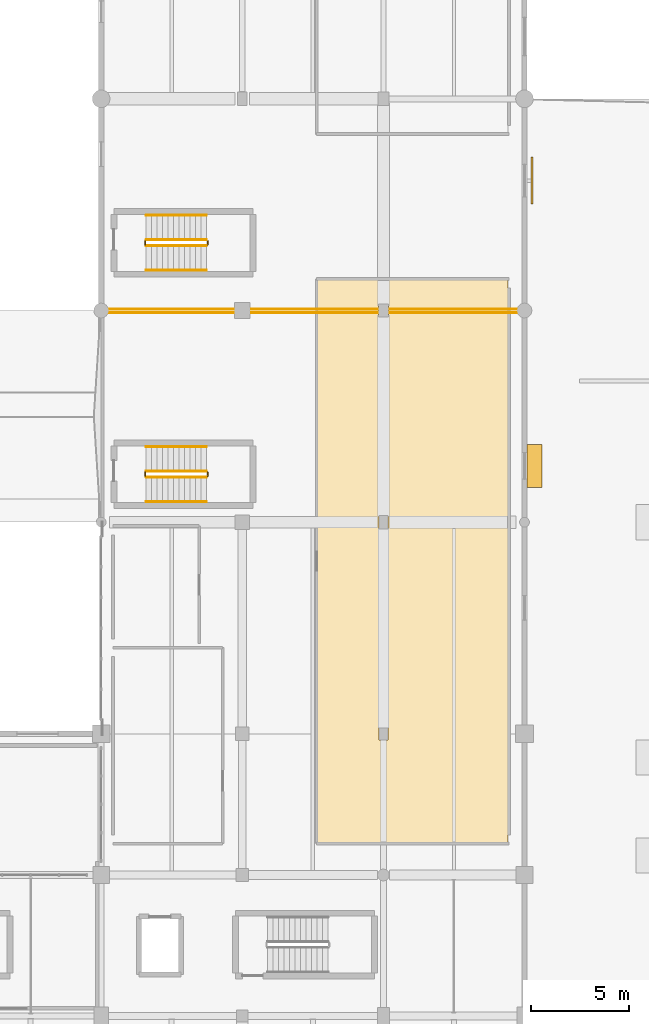
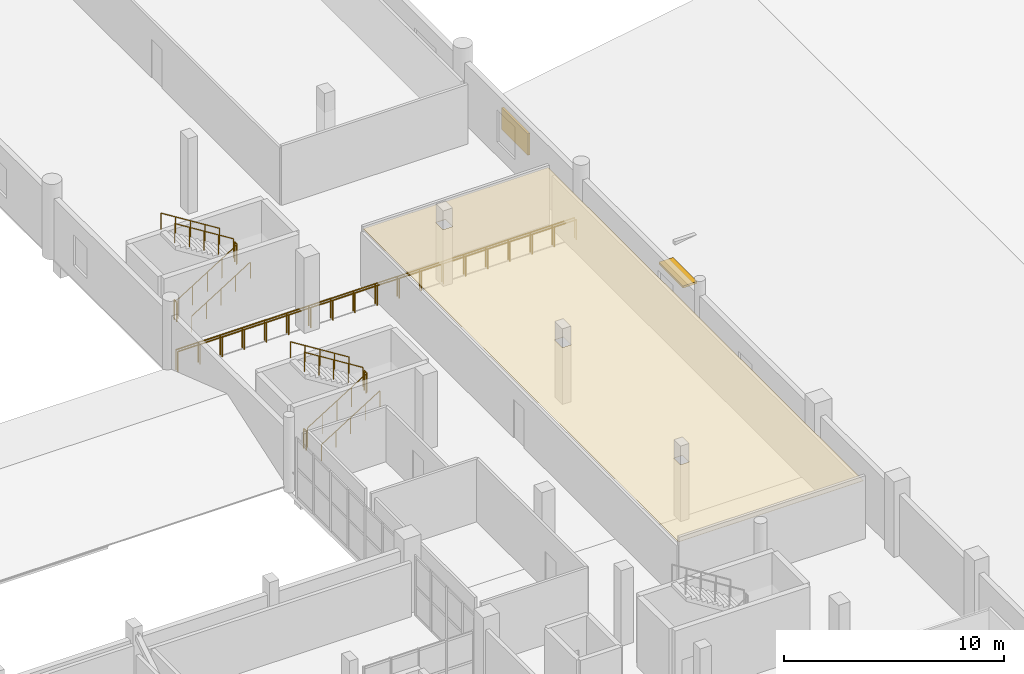
# One storey, part 89 of 90: 14 railings, 2 shading devices, 1 covering.
"""IFC4 building model written with IfcOpenShell, lengths in metres."""

import ifcopenshell
import ifcopenshell.guid

model = None  # the IFC model being written
_history = None  # IfcOwnerHistory: only IFC2X3 demands one
_inside = {}  # id of a spatial element -> (the spatial element, [elements in it])
_under = {}  # id of a project, library or spatial element -> (it, [spatial elements below it])
_declared = {}  # id of a project -> (the project, [libraries it declares])
_typed = {}  # id of a type object -> (the type object, [elements of that type])
_made_of = {}  # id of a material, layer set ... -> (it, [elements and type objects made of it])


def new_model(schema):
    """Start an empty IFC model of exactly this schema.

    Asked for "IFC4X3", IfcOpenShell would pick the latest addendum, in which some entities
    have other attributes; the version numbers below select the first issue.
    IFC2X3 requires an IfcOwnerHistory on every rooted entity: one is made here for all.
    """
    global model, _history
    if schema == "IFC4X3":
        model = ifcopenshell.file(schema_version=(4, 3, 0, 0))
    else:
        model = ifcopenshell.file(schema=schema)
    _inside.clear()
    _under.clear()
    _declared.clear()
    _typed.clear()
    _made_of.clear()
    _history = None
    if model.schema == "IFC2X3":
        org = make("IfcOrganization", Name="unknown")
        user = make(
            "IfcPersonAndOrganization",
            ThePerson=make("IfcPerson", FamilyName="unknown"),
            TheOrganization=org,
        )
        app = make(
            "IfcApplication",
            ApplicationDeveloper=org,
            Version="unknown",
            ApplicationFullName="unknown",
            ApplicationIdentifier="unknown",
        )
        _history = make(
            "IfcOwnerHistory",
            OwningUser=user,
            OwningApplication=app,
            ChangeAction="ADDED",
            CreationDate=0,
        )
    return model


def make(cls, **values):
    """One entity of the class cls with the attributes given. An attribute that is None is left unset."""
    return model.create_entity(
        cls, **{name: value for name, value in values.items() if value is not None}
    )


def rooted(cls, **values):
    """An entity with a GlobalId (a new one), such as an element, a storey or a relation."""
    return make(cls, GlobalId=ifcopenshell.guid.new(), OwnerHistory=_history, **values)


def si_unit(unit_type, name, prefix=None):
    """IfcSIUnit, for example si_unit("LENGTHUNIT", "METRE", prefix="MILLI")."""
    return make("IfcSIUnit", UnitType=unit_type, Prefix=prefix, Name=name)


def assignment(units):
    """IfcUnitAssignment: the units of a project."""
    return None if units is None else make("IfcUnitAssignment", Units=units)


def point(xyz):
    """IfcCartesianPoint."""
    return None if xyz is None else make("IfcCartesianPoint", Coordinates=xyz)


def direction(xyz):
    """IfcDirection."""
    return None if xyz is None else make("IfcDirection", DirectionRatios=xyz)


def frame(location, z_axis=None, x_axis=None):
    """IfcAxis2Placement3D, a coordinate frame: its origin and axes. An axis left out is left unset."""
    return make(
        "IfcAxis2Placement3D",
        Location=point(location),
        Axis=direction(z_axis),
        RefDirection=direction(x_axis),
    )


def frame_2d(location, x_axis=None):
    """IfcAxis2Placement2D, a coordinate frame in the plane: its origin and x axis."""
    return make(
        "IfcAxis2Placement2D", Location=point(location), RefDirection=direction(x_axis)
    )


def origin():
    """The frame at (0, 0, 0) with its axes left unset."""
    return frame((0.0, 0.0, 0.0))


def origin_2d():
    """The frame at (0, 0) in the plane with its x axis left unset."""
    return frame_2d((0.0, 0.0))


def place(relative_to, where):
    """IfcLocalPlacement: puts the frame where relative to a parent placement (None: the world)."""
    return make(
        "IfcLocalPlacement", PlacementRelTo=relative_to, RelativePlacement=where
    )


def context(
    kind, dimensions, precision=None, world=None, true_north=None, identifier=None
):
    """IfcGeometricRepresentationContext, for example the 3D "Model" context."""
    return make(
        "IfcGeometricRepresentationContext",
        ContextIdentifier=identifier,
        ContextType=kind,
        CoordinateSpaceDimension=dimensions,
        Precision=precision,
        WorldCoordinateSystem=world,
        TrueNorth=true_north,
    )


def subcontext(parent, identifier, kind, view, scale=None):
    """IfcGeometricRepresentationSubContext, for example "Body" below "Model"."""
    return make(
        "IfcGeometricRepresentationSubContext",
        ContextIdentifier=identifier,
        ContextType=kind,
        ParentContext=parent,
        TargetScale=scale,
        TargetView=view,
    )


def project(units=None, contexts=None):
    """IfcProject with its units and contexts."""
    return rooted(
        "IfcProject",
        Name="project",
        RepresentationContexts=contexts,
        UnitsInContext=assignment(units),
    )


def spatial(cls, under=None, at=None, **own):
    """A site, building, storey or space (cls), placed at a placement, below another one or the project."""
    s = rooted(cls, ObjectPlacement=at, **own)
    if under is not None:
        _under.setdefault(under.id(), (under, []))[1].append(s)
    return s


def polyline(points):
    """IfcPolyline through the points."""
    return make("IfcPolyline", Points=[point(p) for p in points])


def profile(cls, at=None, kind="AREA", **sizes):
    """A parametric profile (cls). Its sizes go by their IFC names, for example OverallWidth=200.0."""
    return make(cls, ProfileType=kind, Position=at, **sizes)


def rectangle(**sizes):
    """IfcRectangleProfileDef."""
    return profile("IfcRectangleProfileDef", **sizes)


def circle(**sizes):
    """IfcCircleProfileDef."""
    return profile("IfcCircleProfileDef", **sizes)


def outline(outer, holes=None, kind="AREA"):
    """IfcArbitraryClosedProfileDef: a profile drawn as a closed curve; with holes, ...WithVoids."""
    if holes is None:
        return make("IfcArbitraryClosedProfileDef", ProfileType=kind, OuterCurve=outer)
    return make(
        "IfcArbitraryProfileDefWithVoids",
        ProfileType=kind,
        OuterCurve=outer,
        InnerCurves=holes,
    )


def extrude(swept, where, along, depth):
    """IfcExtrudedAreaSolid: the profile swept, set in the frame where, extruded along a direction by depth."""
    return make(
        "IfcExtrudedAreaSolid",
        SweptArea=swept,
        Position=where,
        ExtrudedDirection=direction(along),
        Depth=depth,
    )


def shape(context_of_items, identifier, shape_type, items):
    """IfcShapeRepresentation: the items that make up one representation, for example the "Body"."""
    return make(
        "IfcShapeRepresentation",
        ContextOfItems=context_of_items,
        RepresentationIdentifier=identifier,
        RepresentationType=shape_type,
        Items=items,
    )


def material(Name=None, Category=None):
    """IfcMaterial."""
    return make("IfcMaterial", Name=Name, Category=Category)


def layer(
    of_material, thickness, ventilated=None, Name=None, Category=None, Priority=None
):
    """IfcMaterialLayer: one layer of a wall or slab, of a material (None: an air gap)."""
    return make(
        "IfcMaterialLayer",
        Material=of_material,
        LayerThickness=thickness,
        IsVentilated=ventilated,
        Name=Name,
        Category=Category,
        Priority=Priority,
    )


def layer_set(layers, Name=None):
    """IfcMaterialLayerSet."""
    return make("IfcMaterialLayerSet", MaterialLayers=layers, LayerSetName=Name)


def made_of(thing, what):
    """Note that an element or type object is made of a material, layer set ...; save() writes the relation."""
    if what is not None:
        _made_of.setdefault(what.id(), (what, []))[1].append(thing)
    return thing


def type_object(cls, material=None, **own):
    """A type object (cls), such as IfcWallType, which elements share."""
    return made_of(rooted(cls, **own), material)


def element(
    cls,
    number,
    at=None,
    inside=None,
    cuts=None,
    type_object=None,
    material=None,
    context=None,
    identifier="Body",
    shape_type=None,
    held_by="IfcProductDefinitionShape",
    body=None,
    shapes=None,
    **own,
):
    """One element of the class cls, such as IfcWall. Its Tag is "e" and its number.

    at: its placement. inside: the storey or other place that contains it. cuts: it is an
    opening in that element (IfcRelVoidsElement). A single representation is given by context,
    identifier, shape_type and body (its items); several are given by shapes. held_by: the class
    of the entity that holds the representations. save() writes the other relations.
    """
    e = rooted(cls, Tag="e%d" % number, ObjectPlacement=at, **own)
    if body is not None:
        shapes = [shape(context, identifier, shape_type, body)]
    if shapes is not None:
        e.Representation = make(held_by, Representations=shapes)
    if inside is not None:
        _inside.setdefault(inside.id(), (inside, []))[1].append(e)
    if cuts is not None:
        rooted(
            "IfcRelVoidsElement", RelatingBuildingElement=cuts, RelatedOpeningElement=e
        )
    if type_object is not None:
        _typed.setdefault(type_object.id(), (type_object, []))[1].append(e)
    return made_of(e, material)


def aggregate(whole, parts):
    """IfcRelAggregates: a whole, such as a stair, and the parts it consists of."""
    return rooted("IfcRelAggregates", RelatingObject=whole, RelatedObjects=parts)


def save(model, path):
    """Write the relations noted so far, then the file.

    IfcRelAggregates (storeys below a building ...), IfcRelContainedInSpatialStructure (elements
    in a storey), IfcRelDefinesByType, IfcRelAssociatesMaterial and IfcRelDeclares: one each for
    every whole, place, type object, material and project.
    """
    for whole, parts in _under.values():
        aggregate(whole, parts)
    for where, things in _inside.values():
        rooted(
            "IfcRelContainedInSpatialStructure",
            RelatedElements=things,
            RelatingStructure=where,
        )
    for kind, things in _typed.values():
        rooted("IfcRelDefinesByType", RelatedObjects=things, RelatingType=kind)
    for what, things in _made_of.values():
        rooted("IfcRelAssociatesMaterial", RelatedObjects=things, RelatingMaterial=what)
    for by, libraries in _declared.values():
        rooted("IfcRelDeclares", RelatingContext=by, RelatedDefinitions=libraries)
    model.write(path)


model = new_model("IFC4")

# Units and contexts
model_context = context("Model", 3, precision=1e-05, world=origin(), true_north=direction((0.0, 1.0)))
body_context = subcontext(model_context, "Body", "Model", "MODEL_VIEW")
ifc_project = project(units=[si_unit("LENGTHUNIT", "METRE"), si_unit("AREAUNIT", "SQUARE_METRE"), si_unit("VOLUMEUNIT", "CUBIC_METRE"), si_unit("PLANEANGLEUNIT", "RADIAN"), si_unit("MASSUNIT", "GRAM", prefix="KILO")], contexts=[model_context])

# Site, building, storey
site_placement = place(None, origin())
site = spatial("IfcSite", under=ifc_project, at=site_placement, CompositionType="ELEMENT")
building_placement = place(site_placement, origin())
building = spatial("IfcBuilding", under=site, at=building_placement, Name="Solanera Park Tramway Depot", CompositionType="ELEMENT")
storey_placement = place(building_placement, frame((0.0, 0.0, 9.0)))
storey = spatial("IfcBuildingStorey", under=building, at=storey_placement, Name="L02", CompositionType="ELEMENT", Elevation=9.0)

# Covering
ifc_material_1 = material(Name="Acoustic perforated plasterboard and mineral-fibre ceiling")
ifc_layer_1 = layer(ifc_material_1, 0.02001953125)
ifc_layer_set_1 = layer_set([ifc_layer_1], Name="Acoustic perforated plasterboard and mineral-fibre ceiling")
covering_type = type_object("IfcCoveringType", Name="Acoustic Mineral-Fibre Ceiling 20", PredefinedType="CEILING", material=ifc_layer_set_1)
covering_placement = place(storey_placement, frame((0.0, 0.0, 3.14990234375)))
element("IfcCovering", 1, at=covering_placement, inside=storey, type_object=covering_type, Name="Passenger Information and GIS Analytics Acoustic Ceiling", PredefinedType="CEILING", context=body_context, shape_type="SweptSolid", body=[
    extrude(outline(polyline([(186.360107421875, 55.56005859375), (186.360107421875, 26.840087890625), (176.639892578125, 26.840087890625), (176.639892578125, 55.56005859375), (186.360107421875, 55.56005859375)]), holes=[polyline([(179.77197265625, 32.702880859375), (179.77197265625, 32.096923828125), (180.22802734375, 32.096923828125), (180.22802734375, 32.702880859375), (179.77197265625, 32.702880859375)]), polyline([(180.22802734375, 43.552978515625), (179.77197265625, 43.552978515625), (179.77197265625, 42.846923828125), (180.22802734375, 42.846923828125), (180.22802734375, 43.552978515625)]), polyline([(180.2529296875, 53.672119140625), (180.2529296875, 54.327880859375), (179.7470703125, 54.327880859375), (179.7470703125, 53.672119140625), (180.2529296875, 53.672119140625)])]), origin(), (0.0, 0.0, 1.0), 0.02001953125),
])

# Railings
ifc_material_2 = material(Name="Powder-coated galvanised steel balustrade", Category="steel")
ifc_layer_2 = layer(ifc_material_2, 0.06005859375)
ifc_layer_set_2 = layer_set([ifc_layer_2], Name="Powder-coated galvanised steel balustrade")
railing_type_1 = type_object("IfcRailingType", Name="Classical Wrought-Style Balustrade 1120", PredefinedType="BALUSTRADE", material=ifc_layer_set_2)
railing_1_placement = place(storey_placement, frame((165.919921875, 53.889892578125, 0.0)))
element("IfcRailing", 2, at=railing_1_placement, inside=storey, type_object=railing_type_1, Name="L02 Perimeter Deck Balustrade #044", PredefinedType="BALUSTRADE", context=body_context, shape_type="SweptSolid", body=[
    extrude(circle(Radius=0.02392578125, at=origin_2d()), frame((0.0, 0.0, 1.09619140625), z_axis=(1.0, 0.0, 0.0), x_axis=(0.0, 1.0, 0.0)), (0.0, 0.0, 1.0), 20.9599609375),
    extrude(circle(Radius=0.02099609375, at=origin_2d()), origin(), (0.0, 0.0, 1.0), 1.072021484375),
    extrude(circle(Radius=0.02099609375, at=origin_2d()), frame((1.16455078125, 0.0, 0.0)), (0.0, 0.0, 1.0), 1.072021484375),
    extrude(circle(Radius=0.02099609375, at=origin_2d()), frame((2.328857421875, 0.0, 0.0)), (0.0, 0.0, 1.0), 1.072021484375),
    extrude(circle(Radius=0.02099609375, at=origin_2d()), frame((3.493408203125, 0.0, 0.0)), (0.0, 0.0, 1.0), 1.072021484375),
    extrude(circle(Radius=0.02099609375, at=origin_2d()), frame((4.65771484375, 0.0, 0.0)), (0.0, 0.0, 1.0), 1.072021484375),
    extrude(circle(Radius=0.02099609375, at=origin_2d()), frame((5.822265625, 0.0, 0.0)), (0.0, 0.0, 1.0), 1.072021484375),
    extrude(circle(Radius=0.02099609375, at=origin_2d()), frame((6.986572265625, 0.0, 0.0)), (0.0, 0.0, 1.0), 1.072021484375),
    extrude(circle(Radius=0.02099609375, at=origin_2d()), frame((8.151123046875, 0.0, 0.0)), (0.0, 0.0, 1.0), 1.072021484375),
    extrude(circle(Radius=0.02099609375, at=origin_2d()), frame((9.3154296875, 0.0, 0.0)), (0.0, 0.0, 1.0), 1.072021484375),
    extrude(circle(Radius=0.02099609375, at=origin_2d()), frame((10.47998046875, 0.0, 0.0)), (0.0, 0.0, 1.0), 1.072021484375),
    extrude(circle(Radius=0.02099609375, at=origin_2d()), frame((11.64453125, 0.0, 0.0)), (0.0, 0.0, 1.0), 1.072021484375),
    extrude(circle(Radius=0.02099609375, at=origin_2d()), frame((12.808837890625, 0.0, 0.0)), (0.0, 0.0, 1.0), 1.072021484375),
    extrude(circle(Radius=0.02099609375, at=origin_2d()), frame((13.973388671875, 0.0, 0.0)), (0.0, 0.0, 1.0), 1.072021484375),
    extrude(circle(Radius=0.02099609375, at=origin_2d()), frame((15.1376953125, 0.0, 0.0)), (0.0, 0.0, 1.0), 1.072021484375),
    extrude(circle(Radius=0.02099609375, at=origin_2d()), frame((16.30224609375, 0.0, 0.0)), (0.0, 0.0, 1.0), 1.072021484375),
    extrude(circle(Radius=0.02099609375, at=origin_2d()), frame((17.466552734375, 0.0, 0.0)), (0.0, 0.0, 1.0), 1.072021484375),
    extrude(circle(Radius=0.02099609375, at=origin_2d()), frame((18.631103515625, 0.0, 0.0)), (0.0, 0.0, 1.0), 1.072021484375),
    extrude(circle(Radius=0.02099609375, at=origin_2d()), frame((19.79541015625, 0.0, 0.0)), (0.0, 0.0, 1.0), 1.072021484375),
    extrude(circle(Radius=0.02099609375, at=origin_2d()), frame((20.9599609375, 0.0, 0.0)), (0.0, 0.0, 1.0), 1.072021484375),
])
railing_2_placement = place(storey_placement, frame((186.8798828125, 54.06005859375, 0.0)))
element("IfcRailing", 3, at=railing_2_placement, inside=storey, type_object=railing_type_1, Name="L02 Perimeter Deck Balustrade #050", PredefinedType="BALUSTRADE", context=body_context, shape_type="SweptSolid", body=[
    extrude(circle(Radius=0.02392578125, at=origin_2d()), frame((0.0, 0.0, 1.09619140625), z_axis=(-1.0, 0.0, 0.0), x_axis=(0.0, -1.0, 0.0)), (0.0, 0.0, 1.0), 20.9599609375),
    extrude(circle(Radius=0.02099609375, at=origin_2d()), origin(), (0.0, 0.0, 1.0), 1.072021484375),
    extrude(circle(Radius=0.02099609375, at=origin_2d()), frame((-1.16455078125, 0.0, 0.0)), (0.0, 0.0, 1.0), 1.072021484375),
    extrude(circle(Radius=0.02099609375, at=origin_2d()), frame((-2.328857421875, 0.0, 0.0)), (0.0, 0.0, 1.0), 1.072021484375),
    extrude(circle(Radius=0.02099609375, at=origin_2d()), frame((-3.493408203125, 0.0, 0.0)), (0.0, 0.0, 1.0), 1.072021484375),
    extrude(circle(Radius=0.02099609375, at=origin_2d()), frame((-4.65771484375, 0.0, 0.0)), (0.0, 0.0, 1.0), 1.072021484375),
    extrude(circle(Radius=0.02099609375, at=origin_2d()), frame((-5.822265625, 0.0, 0.0)), (0.0, 0.0, 1.0), 1.072021484375),
    extrude(circle(Radius=0.02099609375, at=origin_2d()), frame((-6.986572265625, 0.0, 0.0)), (0.0, 0.0, 1.0), 1.072021484375),
    extrude(circle(Radius=0.02099609375, at=origin_2d()), frame((-8.151123046875, 0.0, 0.0)), (0.0, 0.0, 1.0), 1.072021484375),
    extrude(circle(Radius=0.02099609375, at=origin_2d()), frame((-9.3154296875, 0.0, 0.0)), (0.0, 0.0, 1.0), 1.072021484375),
    extrude(circle(Radius=0.02099609375, at=origin_2d()), frame((-10.47998046875, 0.0, 0.0)), (0.0, 0.0, 1.0), 1.072021484375),
    extrude(circle(Radius=0.02099609375, at=origin_2d()), frame((-11.64453125, 0.0, 0.0)), (0.0, 0.0, 1.0), 1.072021484375),
    extrude(circle(Radius=0.02099609375, at=origin_2d()), frame((-12.808837890625, 0.0, 0.0)), (0.0, 0.0, 1.0), 1.072021484375),
    extrude(circle(Radius=0.02099609375, at=origin_2d()), frame((-13.973388671875, 0.0, 0.0)), (0.0, 0.0, 1.0), 1.072021484375),
    extrude(circle(Radius=0.02099609375, at=origin_2d()), frame((-15.1376953125, 0.0, 0.0)), (0.0, 0.0, 1.0), 1.072021484375),
    extrude(circle(Radius=0.02099609375, at=origin_2d()), frame((-16.30224609375, 0.0, 0.0)), (0.0, 0.0, 1.0), 1.072021484375),
    extrude(circle(Radius=0.02099609375, at=origin_2d()), frame((-17.466552734375, 0.0, 0.0)), (0.0, 0.0, 1.0), 1.072021484375),
    extrude(circle(Radius=0.02099609375, at=origin_2d()), frame((-18.631103515625, 0.0, 0.0)), (0.0, 0.0, 1.0), 1.072021484375),
    extrude(circle(Radius=0.02099609375, at=origin_2d()), frame((-19.79541015625, 0.0, 0.0)), (0.0, 0.0, 1.0), 1.072021484375),
    extrude(circle(Radius=0.02099609375, at=origin_2d()), frame((-20.9599609375, 0.0, 0.0)), (0.0, 0.0, 1.0), 1.072021484375),
])
ifc_material_3 = material(Name="Brushed stainless steel 316 handrail", Category="steel")
ifc_layer_3 = layer(ifc_material_3, 0.050048828125)
ifc_layer_set_3 = layer_set([ifc_layer_3], Name="Brushed stainless steel 316 handrail")
railing_type_2 = type_object("IfcRailingType", Name="Stair Pitch Tubular Handrail 920", PredefinedType="HANDRAIL", material=ifc_layer_set_3)
railing_3_placement = place(storey_placement, frame((167.89990234375, 44.25, 0.175048828125)))
element("IfcRailing", 4, at=railing_3_placement, inside=storey, type_object=railing_type_2, Name="ST-05 L02 Pitch Handrail 1", PredefinedType="HANDRAIL", context=body_context, shape_type="SweptSolid", body=[
    extrude(circle(Radius=0.02392578125, at=origin_2d()), frame((0.0, 0.0, 0.89599609375), z_axis=(0.847998304005, 0.0, 0.529998940003), x_axis=(0.0, 1.0, 0.0)), (0.0, 0.0, 1.0), 3.632080078125),
    extrude(circle(Radius=0.02099609375, at=origin_2d()), origin(), (0.0, 0.0, 1.0), 0.871826171875),
    extrude(circle(Radius=0.02099609375, at=origin_2d()), frame((0.77001953125, 0.0, 0.481201171875)), (0.0, 0.0, 1.0), 0.871826171875),
    extrude(circle(Radius=0.02099609375, at=origin_2d()), frame((1.5400390625, 0.0, 0.96240234375)), (0.0, 0.0, 1.0), 0.871826171875),
    extrude(circle(Radius=0.02099609375, at=origin_2d()), frame((2.31005859375, 0.0, 1.44384765625)), (0.0, 0.0, 1.0), 0.871826171875),
    extrude(circle(Radius=0.02099609375, at=origin_2d()), frame((3.080078125, 0.0, 1.925048828125)), (0.0, 0.0, 1.0), 0.871826171875),
])
railing_4_placement = place(storey_placement, frame((170.97998046875, 47.050048828125, 2.27490234375)))
element("IfcRailing", 5, at=railing_4_placement, inside=storey, type_object=railing_type_2, Name="ST-05 L02 Pitch Handrail 2", PredefinedType="HANDRAIL", context=body_context, shape_type="SweptSolid", body=[
    extrude(circle(Radius=0.02392578125, at=origin_2d()), frame((0.0, 0.0, 0.89599609375), z_axis=(-0.847998304005, 0.0, 0.529998940003), x_axis=(0.0, -1.0, 0.0)), (0.0, 0.0, 1.0), 3.632080078125),
    extrude(circle(Radius=0.02099609375, at=origin_2d()), origin(), (0.0, 0.0, 1.0), 0.871826171875),
    extrude(circle(Radius=0.02099609375, at=origin_2d()), frame((-0.77001953125, 0.0, 0.481201171875)), (0.0, 0.0, 1.0), 0.871826171875),
    extrude(circle(Radius=0.02099609375, at=origin_2d()), frame((-1.5400390625, 0.0, 0.96240234375)), (0.0, 0.0, 1.0), 0.871826171875),
    extrude(circle(Radius=0.02099609375, at=origin_2d()), frame((-2.31005859375, 0.0, 1.44384765625)), (0.0, 0.0, 1.0), 0.871826171875),
    extrude(circle(Radius=0.02099609375, at=origin_2d()), frame((-3.080078125, 0.0, 1.925048828125)), (0.0, 0.0, 1.0), 0.871826171875),
])
railing_5_placement = place(storey_placement, frame((167.89990234375, 56.050048828125, 0.175048828125)))
element("IfcRailing", 6, at=railing_5_placement, inside=storey, type_object=railing_type_2, Name="ST-06 L02 Pitch Handrail 1", PredefinedType="HANDRAIL", context=body_context, shape_type="SweptSolid", body=[
    extrude(circle(Radius=0.02392578125, at=origin_2d()), frame((0.0, 0.0, 0.89599609375), z_axis=(0.847998304005, 0.0, 0.529998940003), x_axis=(0.0, 1.0, 0.0)), (0.0, 0.0, 1.0), 3.632080078125),
    extrude(circle(Radius=0.02099609375, at=origin_2d()), origin(), (0.0, 0.0, 1.0), 0.871826171875),
    extrude(circle(Radius=0.02099609375, at=origin_2d()), frame((0.77001953125, 0.0, 0.481201171875)), (0.0, 0.0, 1.0), 0.871826171875),
    extrude(circle(Radius=0.02099609375, at=origin_2d()), frame((1.5400390625, 0.0, 0.96240234375)), (0.0, 0.0, 1.0), 0.871826171875),
    extrude(circle(Radius=0.02099609375, at=origin_2d()), frame((2.31005859375, 0.0, 1.44384765625)), (0.0, 0.0, 1.0), 0.871826171875),
    extrude(circle(Radius=0.02099609375, at=origin_2d()), frame((3.080078125, 0.0, 1.925048828125)), (0.0, 0.0, 1.0), 0.871826171875),
])
railing_6_placement = place(storey_placement, frame((170.97998046875, 58.85009765625, 2.27490234375)))
element("IfcRailing", 7, at=railing_6_placement, inside=storey, type_object=railing_type_2, Name="ST-06 L02 Pitch Handrail 2", PredefinedType="HANDRAIL", context=body_context, shape_type="SweptSolid", body=[
    extrude(circle(Radius=0.02392578125, at=origin_2d()), frame((0.0, 0.0, 0.89599609375), z_axis=(-0.847998304005, 0.0, 0.529998940003), x_axis=(0.0, -1.0, 0.0)), (0.0, 0.0, 1.0), 3.632080078125),
    extrude(circle(Radius=0.02099609375, at=origin_2d()), origin(), (0.0, 0.0, 1.0), 0.871826171875),
    extrude(circle(Radius=0.02099609375, at=origin_2d()), frame((-0.77001953125, 0.0, 0.481201171875)), (0.0, 0.0, 1.0), 0.871826171875),
    extrude(circle(Radius=0.02099609375, at=origin_2d()), frame((-1.5400390625, 0.0, 0.96240234375)), (0.0, 0.0, 1.0), 0.871826171875),
    extrude(circle(Radius=0.02099609375, at=origin_2d()), frame((-2.31005859375, 0.0, 1.44384765625)), (0.0, 0.0, 1.0), 0.871826171875),
    extrude(circle(Radius=0.02099609375, at=origin_2d()), frame((-3.080078125, 0.0, 1.925048828125)), (0.0, 0.0, 1.0), 0.871826171875),
])
ifc_material_4 = material(Name="Steel AS/NZS 1163 Grade C350L0", Category="steel")
ifc_layer_4 = layer(ifc_material_4, 0.06005859375)
ifc_layer_set_4 = layer_set([ifc_layer_4], Name="Steel AS/NZS 1163 Grade C350L0")
railing_type_3 = type_object("IfcRailingType", Name="Stairwell Guardrail 1100", PredefinedType="GUARDRAIL", material=ifc_layer_set_4)
railing_7_placement = place(storey_placement, frame((167.89990234375, 45.5, 0.175048828125)))
element("IfcRailing", 8, at=railing_7_placement, inside=storey, type_object=railing_type_3, Name="ST-05 L02 Well Guard 1", PredefinedType="GUARDRAIL", context=body_context, shape_type="SweptSolid", body=[
    extrude(circle(Radius=0.02392578125, at=origin_2d()), frame((0.0, 0.0, 1.076171875), z_axis=(0.847998304005, 0.0, 0.529998940003), x_axis=(0.0, 1.0, 0.0)), (0.0, 0.0, 1.0), 3.632080078125),
    extrude(circle(Radius=0.02099609375, at=origin_2d()), origin(), (0.0, 0.0, 1.0), 1.052001953125),
    extrude(circle(Radius=0.02099609375, at=origin_2d()), frame((0.77001953125, 0.0, 0.481201171875)), (0.0, 0.0, 1.0), 1.052001953125),
    extrude(circle(Radius=0.02099609375, at=origin_2d()), frame((1.5400390625, 0.0, 0.96240234375)), (0.0, 0.0, 1.0), 1.052001953125),
    extrude(circle(Radius=0.02099609375, at=origin_2d()), frame((2.31005859375, 0.0, 1.44384765625)), (0.0, 0.0, 1.0), 1.052001953125),
    extrude(circle(Radius=0.02099609375, at=origin_2d()), frame((3.080078125, 0.0, 1.925048828125)), (0.0, 0.0, 1.0), 1.052001953125),
])
railing_8_placement = place(storey_placement, frame((171.030029296875, 45.550048828125, 2.10009765625)))
element("IfcRailing", 9, at=railing_8_placement, inside=storey, type_object=railing_type_3, Name="ST-05 L02 Well Guard 2", PredefinedType="GUARDRAIL", context=body_context, shape_type="SweptSolid", body=[
    extrude(circle(Radius=0.02392578125, at=origin_2d()), frame((0.0, 0.0, 1.076171875), z_axis=(0.0, 1.0, 0.0), x_axis=(-1.0, 0.0, 0.0)), (0.0, 0.0, 1.0), 0.199951171875),
    extrude(circle(Radius=0.02099609375, at=origin_2d()), origin(), (0.0, 0.0, 1.0), 1.052001953125),
    extrude(circle(Radius=0.02099609375, at=origin_2d()), frame((0.0, 0.199951171875, 0.0)), (0.0, 0.0, 1.0), 1.052001953125),
])
railing_9_placement = place(storey_placement, frame((170.97998046875, 45.800048828125, 2.27490234375)))
element("IfcRailing", 10, at=railing_9_placement, inside=storey, type_object=railing_type_3, Name="ST-05 L02 Well Guard 3", PredefinedType="GUARDRAIL", context=body_context, shape_type="SweptSolid", body=[
    extrude(circle(Radius=0.02392578125, at=origin_2d()), frame((0.0, 0.0, 1.076171875), z_axis=(-0.847998304005, 0.0, 0.529998940003), x_axis=(0.0, -1.0, 0.0)), (0.0, 0.0, 1.0), 3.632080078125),
    extrude(circle(Radius=0.02099609375, at=origin_2d()), origin(), (0.0, 0.0, 1.0), 1.052001953125),
    extrude(circle(Radius=0.02099609375, at=origin_2d()), frame((-0.77001953125, 0.0, 0.481201171875)), (0.0, 0.0, 1.0), 1.052001953125),
    extrude(circle(Radius=0.02099609375, at=origin_2d()), frame((-1.5400390625, 0.0, 0.96240234375)), (0.0, 0.0, 1.0), 1.052001953125),
    extrude(circle(Radius=0.02099609375, at=origin_2d()), frame((-2.31005859375, 0.0, 1.44384765625)), (0.0, 0.0, 1.0), 1.052001953125),
    extrude(circle(Radius=0.02099609375, at=origin_2d()), frame((-3.080078125, 0.0, 1.925048828125)), (0.0, 0.0, 1.0), 1.052001953125),
])
railing_10_placement = place(storey_placement, frame((167.85009765625, 45.550048828125, 0.0)))
element("IfcRailing", 11, at=railing_10_placement, inside=storey, type_object=railing_type_3, Name="ST-05 L02 Well Guard 4", PredefinedType="GUARDRAIL", context=body_context, shape_type="SweptSolid", body=[
    extrude(circle(Radius=0.02392578125, at=origin_2d()), frame((0.0, 0.0, 1.076171875), z_axis=(0.0, 1.0, 0.0), x_axis=(-1.0, 0.0, 0.0)), (0.0, 0.0, 1.0), 0.199951171875),
    extrude(circle(Radius=0.02099609375, at=origin_2d()), origin(), (0.0, 0.0, 1.0), 1.052001953125),
    extrude(circle(Radius=0.02099609375, at=origin_2d()), frame((0.0, 0.199951171875, 0.0)), (0.0, 0.0, 1.0), 1.052001953125),
])
railing_11_placement = place(storey_placement, frame((167.89990234375, 57.300048828125, 0.175048828125)))
element("IfcRailing", 12, at=railing_11_placement, inside=storey, type_object=railing_type_3, Name="ST-06 L02 Well Guard 1", PredefinedType="GUARDRAIL", context=body_context, shape_type="SweptSolid", body=[
    extrude(circle(Radius=0.02392578125, at=origin_2d()), frame((0.0, 0.0, 1.076171875), z_axis=(0.847998304005, 0.0, 0.529998940003), x_axis=(0.0, 1.0, 0.0)), (0.0, 0.0, 1.0), 3.632080078125),
    extrude(circle(Radius=0.02099609375, at=origin_2d()), origin(), (0.0, 0.0, 1.0), 1.052001953125),
    extrude(circle(Radius=0.02099609375, at=origin_2d()), frame((0.77001953125, 0.0, 0.481201171875)), (0.0, 0.0, 1.0), 1.052001953125),
    extrude(circle(Radius=0.02099609375, at=origin_2d()), frame((1.5400390625, 0.0, 0.96240234375)), (0.0, 0.0, 1.0), 1.052001953125),
    extrude(circle(Radius=0.02099609375, at=origin_2d()), frame((2.31005859375, 0.0, 1.44384765625)), (0.0, 0.0, 1.0), 1.052001953125),
    extrude(circle(Radius=0.02099609375, at=origin_2d()), frame((3.080078125, 0.0, 1.925048828125)), (0.0, 0.0, 1.0), 1.052001953125),
])
railing_12_placement = place(storey_placement, frame((171.030029296875, 57.35009765625, 2.10009765625)))
element("IfcRailing", 13, at=railing_12_placement, inside=storey, type_object=railing_type_3, Name="ST-06 L02 Well Guard 2", PredefinedType="GUARDRAIL", context=body_context, shape_type="SweptSolid", body=[
    extrude(circle(Radius=0.02392578125, at=origin_2d()), frame((0.0, 0.0, 1.076171875), z_axis=(0.0, 1.0, 0.0), x_axis=(-1.0, 0.0, 0.0)), (0.0, 0.0, 1.0), 0.199951171875),
    extrude(circle(Radius=0.02099609375, at=origin_2d()), origin(), (0.0, 0.0, 1.0), 1.052001953125),
    extrude(circle(Radius=0.02099609375, at=origin_2d()), frame((0.0, 0.199951171875, 0.0)), (0.0, 0.0, 1.0), 1.052001953125),
])
railing_13_placement = place(storey_placement, frame((170.97998046875, 57.60009765625, 2.27490234375)))
element("IfcRailing", 14, at=railing_13_placement, inside=storey, type_object=railing_type_3, Name="ST-06 L02 Well Guard 3", PredefinedType="GUARDRAIL", context=body_context, shape_type="SweptSolid", body=[
    extrude(circle(Radius=0.02392578125, at=origin_2d()), frame((0.0, 0.0, 1.076171875), z_axis=(-0.847998304005, 0.0, 0.529998940003), x_axis=(0.0, -1.0, 0.0)), (0.0, 0.0, 1.0), 3.632080078125),
    extrude(circle(Radius=0.02099609375, at=origin_2d()), origin(), (0.0, 0.0, 1.0), 1.052001953125),
    extrude(circle(Radius=0.02099609375, at=origin_2d()), frame((-0.77001953125, 0.0, 0.481201171875)), (0.0, 0.0, 1.0), 1.052001953125),
    extrude(circle(Radius=0.02099609375, at=origin_2d()), frame((-1.5400390625, 0.0, 0.96240234375)), (0.0, 0.0, 1.0), 1.052001953125),
    extrude(circle(Radius=0.02099609375, at=origin_2d()), frame((-2.31005859375, 0.0, 1.44384765625)), (0.0, 0.0, 1.0), 1.052001953125),
    extrude(circle(Radius=0.02099609375, at=origin_2d()), frame((-3.080078125, 0.0, 1.925048828125)), (0.0, 0.0, 1.0), 1.052001953125),
])
railing_14_placement = place(storey_placement, frame((167.85009765625, 57.35009765625, 0.0)))
element("IfcRailing", 15, at=railing_14_placement, inside=storey, type_object=railing_type_3, Name="ST-06 L02 Well Guard 4", PredefinedType="GUARDRAIL", context=body_context, shape_type="SweptSolid", body=[
    extrude(circle(Radius=0.02392578125, at=origin_2d()), frame((0.0, 0.0, 1.076171875), z_axis=(0.0, 1.0, 0.0), x_axis=(-1.0, 0.0, 0.0)), (0.0, 0.0, 1.0), 0.199951171875),
    extrude(circle(Radius=0.02099609375, at=origin_2d()), origin(), (0.0, 0.0, 1.0), 1.052001953125),
    extrude(circle(Radius=0.02099609375, at=origin_2d()), frame((0.0, 0.199951171875, 0.0)), (0.0, 0.0, 1.0), 1.052001953125),
])

# Shading devices
ifc_material_5 = material(Name="Extruded terracotta brise-soleil hood", Category="masonry")
shading_device_type_1 = type_object("IfcShadingDeviceType", Name="Terracotta Brise-Soleil Sunshade Hood 2200x750", PredefinedType="USERDEFINED", material=ifc_material_5)
shading_device_1_placement = place(storey_placement, frame((187.715087890625, 46.074951171875, 2.530029296875), z_axis=(0.0, 0.0, 1.0), x_axis=(0.0, 1.0, 0.0)))
element("IfcShadingDevice", 16, at=shading_device_1_placement, inside=storey, type_object=shading_device_type_1, Name="Terracotta Brise-Soleil Sunshade #031", ObjectType="SUNSHADE", PredefinedType="USERDEFINED", context=body_context, shape_type="SweptSolid", body=[
    extrude(rectangle(XDim=2.199951171875, YDim=0.75, at=origin_2d()), origin(), (0.0, 0.0, 1.0), 0.1201171875),
])
ifc_material_6 = material(Name="Powder-coated aluminium aerofoil louvre", Category="aluminium")
shading_device_type_2 = type_object("IfcShadingDeviceType", Name="Timber-Look Aluminium Jalousie Louvre 2400x1200", PredefinedType="JALOUSIE", material=ifc_material_6)
shading_device_2_placement = place(storey_placement, frame((187.580078125, 60.625, 1.080078125), z_axis=(0.0, 0.0, 1.0), x_axis=(0.0, 1.0, 0.0)))
element("IfcShadingDevice", 17, at=shading_device_2_placement, inside=storey, type_object=shading_device_type_2, Name="Jalousie Louvre Screen #032", PredefinedType="JALOUSIE", context=body_context, shape_type="SweptSolid", body=[
    extrude(rectangle(XDim=2.39990234375, YDim=0.1201171875, at=origin_2d()), origin(), (0.0, 0.0, 1.0), 1.199951171875),
])

save(model, "model.ifc")
